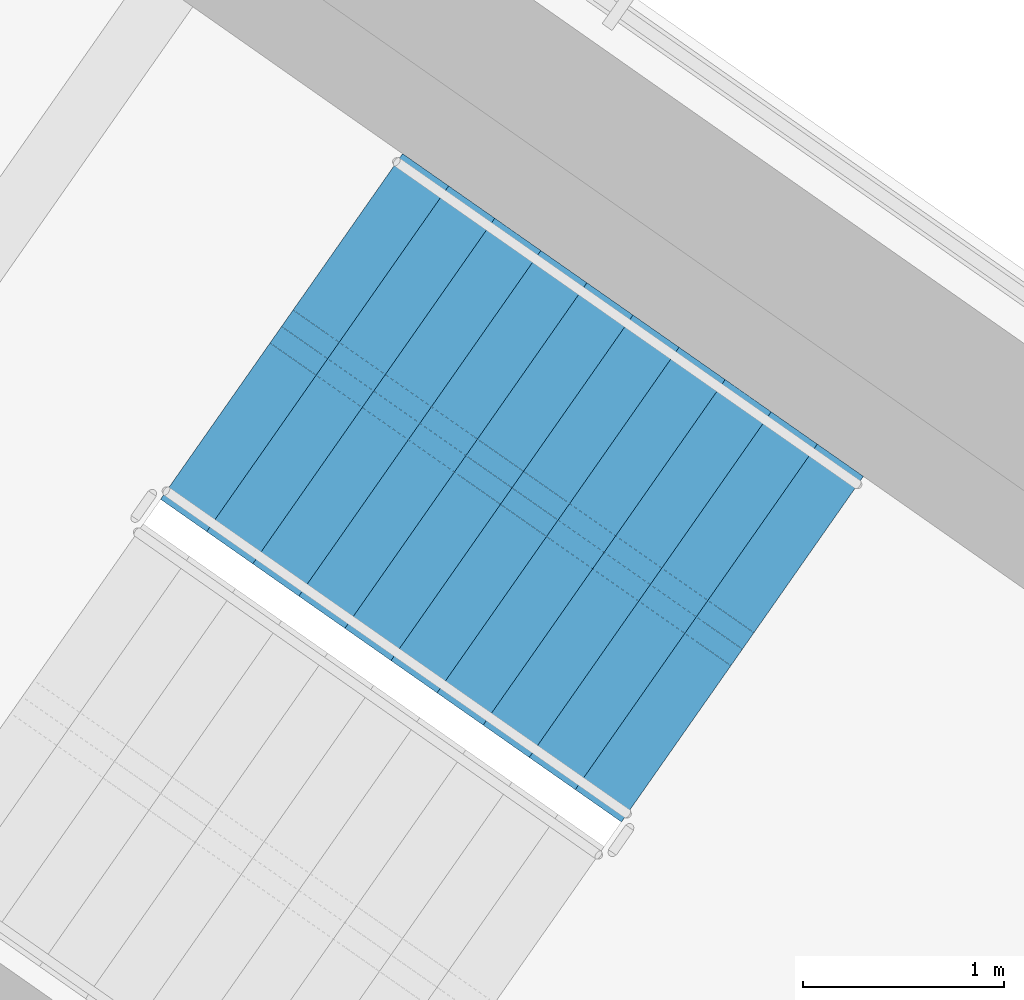
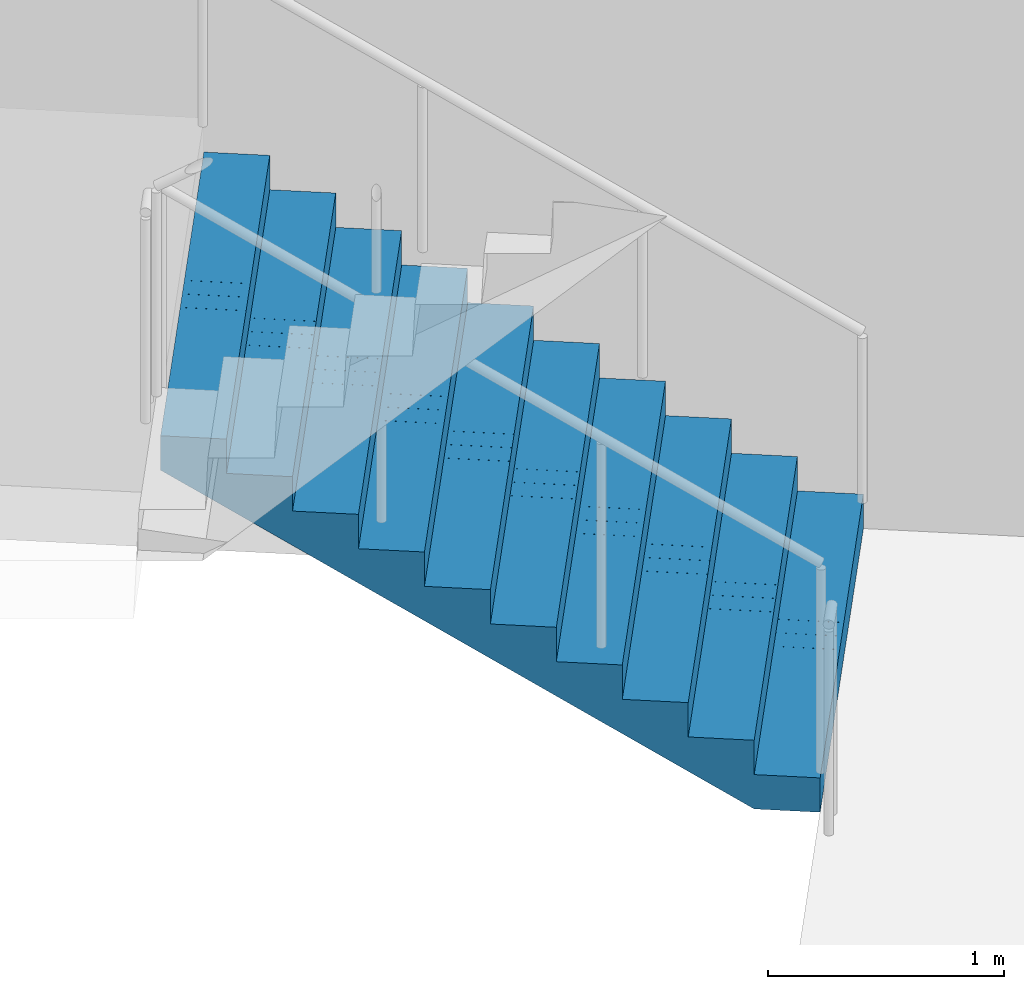
# One storey, part 13 of 18: 1 stair flight, 1 element without a shape of its own.
"""IFC4 building model written with IfcOpenShell, lengths in metres."""

import ifcopenshell
import ifcopenshell.guid

model = None  # the IFC model being written
_history = None  # IfcOwnerHistory: only IFC2X3 demands one
_inside = {}  # id of a spatial element -> (the spatial element, [elements in it])
_under = {}  # id of a project, library or spatial element -> (it, [spatial elements below it])
_declared = {}  # id of a project -> (the project, [libraries it declares])
_typed = {}  # id of a type object -> (the type object, [elements of that type])
_made_of = {}  # id of a material, layer set ... -> (it, [elements and type objects made of it])


def new_model(schema):
    """Start an empty IFC model of exactly this schema.

    Asked for "IFC4X3", IfcOpenShell would pick the latest addendum, in which some entities
    have other attributes; the version numbers below select the first issue.
    IFC2X3 requires an IfcOwnerHistory on every rooted entity: one is made here for all.
    """
    global model, _history
    if schema == "IFC4X3":
        model = ifcopenshell.file(schema_version=(4, 3, 0, 0))
    else:
        model = ifcopenshell.file(schema=schema)
    _inside.clear()
    _under.clear()
    _declared.clear()
    _typed.clear()
    _made_of.clear()
    _history = None
    if model.schema == "IFC2X3":
        org = make("IfcOrganization", Name="unknown")
        user = make(
            "IfcPersonAndOrganization",
            ThePerson=make("IfcPerson", FamilyName="unknown"),
            TheOrganization=org,
        )
        app = make(
            "IfcApplication",
            ApplicationDeveloper=org,
            Version="unknown",
            ApplicationFullName="unknown",
            ApplicationIdentifier="unknown",
        )
        _history = make(
            "IfcOwnerHistory",
            OwningUser=user,
            OwningApplication=app,
            ChangeAction="ADDED",
            CreationDate=0,
        )
    return model


def make(cls, **values):
    """One entity of the class cls with the attributes given. An attribute that is None is left unset."""
    return model.create_entity(
        cls, **{name: value for name, value in values.items() if value is not None}
    )


def rooted(cls, **values):
    """An entity with a GlobalId (a new one), such as an element, a storey or a relation."""
    return make(cls, GlobalId=ifcopenshell.guid.new(), OwnerHistory=_history, **values)


def si_unit(unit_type, name, prefix=None):
    """IfcSIUnit, for example si_unit("LENGTHUNIT", "METRE", prefix="MILLI")."""
    return make("IfcSIUnit", UnitType=unit_type, Prefix=prefix, Name=name)


def assignment(units):
    """IfcUnitAssignment: the units of a project."""
    return None if units is None else make("IfcUnitAssignment", Units=units)


def point(xyz):
    """IfcCartesianPoint."""
    return None if xyz is None else make("IfcCartesianPoint", Coordinates=xyz)


def direction(xyz):
    """IfcDirection."""
    return None if xyz is None else make("IfcDirection", DirectionRatios=xyz)


def frame(location, z_axis=None, x_axis=None):
    """IfcAxis2Placement3D, a coordinate frame: its origin and axes. An axis left out is left unset."""
    return make(
        "IfcAxis2Placement3D",
        Location=point(location),
        Axis=direction(z_axis),
        RefDirection=direction(x_axis),
    )


def origin():
    """The frame at (0, 0, 0) with its axes left unset."""
    return frame((0.0, 0.0, 0.0))


def place(relative_to, where):
    """IfcLocalPlacement: puts the frame where relative to a parent placement (None: the world)."""
    return make(
        "IfcLocalPlacement", PlacementRelTo=relative_to, RelativePlacement=where
    )


def context(
    kind, dimensions, precision=None, world=None, true_north=None, identifier=None
):
    """IfcGeometricRepresentationContext, for example the 3D "Model" context."""
    return make(
        "IfcGeometricRepresentationContext",
        ContextIdentifier=identifier,
        ContextType=kind,
        CoordinateSpaceDimension=dimensions,
        Precision=precision,
        WorldCoordinateSystem=world,
        TrueNorth=true_north,
    )


def subcontext(parent, identifier, kind, view, scale=None):
    """IfcGeometricRepresentationSubContext, for example "Body" below "Model"."""
    return make(
        "IfcGeometricRepresentationSubContext",
        ContextIdentifier=identifier,
        ContextType=kind,
        ParentContext=parent,
        TargetScale=scale,
        TargetView=view,
    )


def project(units=None, contexts=None):
    """IfcProject with its units and contexts."""
    return rooted(
        "IfcProject",
        Name="project",
        RepresentationContexts=contexts,
        UnitsInContext=assignment(units),
    )


def spatial(cls, under=None, at=None, **own):
    """A site, building, storey or space (cls), placed at a placement, below another one or the project."""
    s = rooted(cls, ObjectPlacement=at, **own)
    if under is not None:
        _under.setdefault(under.id(), (under, []))[1].append(s)
    return s


def polyline(points):
    """IfcPolyline through the points."""
    return make("IfcPolyline", Points=[point(p) for p in points])


def outline(outer, holes=None, kind="AREA"):
    """IfcArbitraryClosedProfileDef: a profile drawn as a closed curve; with holes, ...WithVoids."""
    if holes is None:
        return make("IfcArbitraryClosedProfileDef", ProfileType=kind, OuterCurve=outer)
    return make(
        "IfcArbitraryProfileDefWithVoids",
        ProfileType=kind,
        OuterCurve=outer,
        InnerCurves=holes,
    )


def extrude(swept, where, along, depth):
    """IfcExtrudedAreaSolid: the profile swept, set in the frame where, extruded along a direction by depth."""
    return make(
        "IfcExtrudedAreaSolid",
        SweptArea=swept,
        Position=where,
        ExtrudedDirection=direction(along),
        Depth=depth,
    )


def shape(context_of_items, identifier, shape_type, items):
    """IfcShapeRepresentation: the items that make up one representation, for example the "Body"."""
    return make(
        "IfcShapeRepresentation",
        ContextOfItems=context_of_items,
        RepresentationIdentifier=identifier,
        RepresentationType=shape_type,
        Items=items,
    )


def material(Name=None, Category=None):
    """IfcMaterial."""
    return make("IfcMaterial", Name=Name, Category=Category)


def made_of(thing, what):
    """Note that an element or type object is made of a material, layer set ...; save() writes the relation."""
    if what is not None:
        _made_of.setdefault(what.id(), (what, []))[1].append(thing)
    return thing


def type_object(cls, material=None, **own):
    """A type object (cls), such as IfcWallType, which elements share."""
    return made_of(rooted(cls, **own), material)


def element(
    cls,
    number,
    at=None,
    inside=None,
    cuts=None,
    type_object=None,
    material=None,
    context=None,
    identifier="Body",
    shape_type=None,
    held_by="IfcProductDefinitionShape",
    body=None,
    shapes=None,
    **own,
):
    """One element of the class cls, such as IfcWall. Its Tag is "e" and its number.

    at: its placement. inside: the storey or other place that contains it. cuts: it is an
    opening in that element (IfcRelVoidsElement). A single representation is given by context,
    identifier, shape_type and body (its items); several are given by shapes. held_by: the class
    of the entity that holds the representations. save() writes the other relations.
    """
    e = rooted(cls, Tag="e%d" % number, ObjectPlacement=at, **own)
    if body is not None:
        shapes = [shape(context, identifier, shape_type, body)]
    if shapes is not None:
        e.Representation = make(held_by, Representations=shapes)
    if inside is not None:
        _inside.setdefault(inside.id(), (inside, []))[1].append(e)
    if cuts is not None:
        rooted(
            "IfcRelVoidsElement", RelatingBuildingElement=cuts, RelatedOpeningElement=e
        )
    if type_object is not None:
        _typed.setdefault(type_object.id(), (type_object, []))[1].append(e)
    return made_of(e, material)


def aggregate(whole, parts):
    """IfcRelAggregates: a whole, such as a stair, and the parts it consists of."""
    return rooted("IfcRelAggregates", RelatingObject=whole, RelatedObjects=parts)


def save(model, path):
    """Write the relations noted so far, then the file.

    IfcRelAggregates (storeys below a building ...), IfcRelContainedInSpatialStructure (elements
    in a storey), IfcRelDefinesByType, IfcRelAssociatesMaterial and IfcRelDeclares: one each for
    every whole, place, type object, material and project.
    """
    for whole, parts in _under.values():
        aggregate(whole, parts)
    for where, things in _inside.values():
        rooted(
            "IfcRelContainedInSpatialStructure",
            RelatedElements=things,
            RelatingStructure=where,
        )
    for kind, things in _typed.values():
        rooted("IfcRelDefinesByType", RelatedObjects=things, RelatingType=kind)
    for what, things in _made_of.values():
        rooted("IfcRelAssociatesMaterial", RelatedObjects=things, RelatingMaterial=what)
    for by, libraries in _declared.values():
        rooted("IfcRelDeclares", RelatingContext=by, RelatedDefinitions=libraries)
    model.write(path)


model = new_model("IFC4")

# Units and contexts
model_context = context("Model", 3, precision=1e-05, world=origin(), true_north=direction((0.0, 1.0)))
body_context = subcontext(model_context, "Body", "Model", "MODEL_VIEW")
ifc_project = project(units=[si_unit("LENGTHUNIT", "METRE"), si_unit("AREAUNIT", "SQUARE_METRE"), si_unit("VOLUMEUNIT", "CUBIC_METRE"), si_unit("PLANEANGLEUNIT", "RADIAN"), si_unit("MASSUNIT", "GRAM", prefix="KILO")], contexts=[model_context])

# Site, building, storey
site_placement = place(None, origin())
site = spatial("IfcSite", under=ifc_project, at=site_placement, CompositionType="ELEMENT")
building_placement = place(site_placement, origin())
building = spatial("IfcBuilding", under=site, at=building_placement, Name="Tel Ilan Convention Tower", CompositionType="ELEMENT")
storey_placement = place(building_placement, frame((0.0, 0.0, 268.300048828125)))
storey = spatial("IfcBuildingStorey", under=building, at=storey_placement, Name="L63", CompositionType="ELEMENT", Elevation=268.300048828125)

# Stair, stair flight
ifc_material_1 = material(Name="Concrete C40/50", Category="concrete")
stair_type = type_object("IfcStairType", Name="Pressurised Exit Stair 22 risers 177 mm", PredefinedType="HALF_TURN_STAIR", material=ifc_material_1)
stair_placement = place(storey_placement, origin())
stair = element("IfcStair", 1, at=stair_placement, inside=storey, type_object=stair_type, Name="L63 Pressurised Stair S3", PredefinedType="HALF_TURN_STAIR")
ifc_material_2 = material(Name="Precast Concrete C40/50", Category="concrete")
stair_flight_type = type_object("IfcStairFlightType", Name="Concrete Stair Flight 2100 mm 22 risers 177 mm", PredefinedType="STRAIGHT", material=ifc_material_2)
stair_flight_placement = place(storey_placement, frame((24.25244140625, -7.032470703125, 0.0), z_axis=(0.0, 0.0, 1.0), x_axis=(-0.819152044289, 0.573576436351, 0.0)))
stair_flight = element("IfcStairFlight", 2, at=stair_flight_placement, type_object=stair_flight_type, Name="S3 flight 1", NumberOfRisers=11, NumberOfTreads=10, PredefinedType="STRAIGHT", RiserHeight=0.177272727, TreadLength=0.28, context=body_context, shape_type="SweptSolid", body=[
    extrude(outline(polyline([(0.0, 0.0), (0.0, 0.17724609375), (0.280029296875, 0.17724609375), (0.280029296875, 0.3544921875), (0.56005859375, 0.3544921875), (0.56005859375, 0.53173828125), (0.840087890625, 0.53173828125), (0.840087890625, 0.708984375), (1.1201171875, 0.708984375), (1.1201171875, 0.886474609375), (1.39990234375, 0.886474609375), (1.39990234375, 1.063720703125), (1.679931640625, 1.063720703125), (1.679931640625, 1.240966796875), (1.9599609375, 1.240966796875), (1.9599609375, 1.418212890625), (2.239990234375, 1.418212890625), (2.239990234375, 1.595458984375), (2.52001953125, 1.595458984375), (2.52001953125, 1.772705078125), (2.800048828125, 1.772705078125), (2.800048828125, 1.949951171875), (2.800048828125, 1.59521484375), (0.2802734375, 0.0), (0.0, 0.0)])), frame((0.0, -0.100341796875, 0.0), z_axis=(0.0, -1.0, 0.0), x_axis=(1.0, 0.0, 0.0)), (0.0, 0.0, 1.0), 0.94970703125),
    extrude(outline(polyline([(0.0, 0.0), (0.0, 0.17724609375), (0.280029296875, 0.17724609375), (0.280029296875, 0.3544921875), (0.56005859375, 0.3544921875), (0.56005859375, 0.53173828125), (0.840087890625, 0.53173828125), (0.840087890625, 0.708984375), (1.1201171875, 0.708984375), (1.1201171875, 0.886474609375), (1.39990234375, 0.886474609375), (1.39990234375, 1.063720703125), (1.679931640625, 1.063720703125), (1.679931640625, 1.240966796875), (1.9599609375, 1.240966796875), (1.9599609375, 1.418212890625), (2.239990234375, 1.418212890625), (2.239990234375, 1.595458984375), (2.52001953125, 1.595458984375), (2.52001953125, 1.772705078125), (2.800048828125, 1.772705078125), (2.800048828125, 1.949951171875), (2.800048828125, 1.59521484375), (0.2802734375, 0.0), (0.0, 0.0)])), frame((0.0, -0.000244140625, 0.0), z_axis=(0.0, -1.0, 0.0), x_axis=(1.0, 0.0, 0.0)), (0.0, 0.0, 1.0), 0.099609375),
    extrude(outline(polyline([(0.0, 0.0), (0.0, 0.17724609375), (0.280029296875, 0.17724609375), (0.280029296875, 0.3544921875), (0.56005859375, 0.3544921875), (0.56005859375, 0.53173828125), (0.840087890625, 0.53173828125), (0.840087890625, 0.708984375), (1.1201171875, 0.708984375), (1.1201171875, 0.886474609375), (1.39990234375, 0.886474609375), (1.39990234375, 1.063720703125), (1.679931640625, 1.063720703125), (1.679931640625, 1.240966796875), (1.9599609375, 1.240966796875), (1.9599609375, 1.418212890625), (2.239990234375, 1.418212890625), (2.239990234375, 1.595458984375), (2.52001953125, 1.595458984375), (2.52001953125, 1.772705078125), (2.800048828125, 1.772705078125), (2.800048828125, 1.949951171875), (2.800048828125, 1.59521484375), (0.2802734375, 0.0), (0.0, 0.0)])), frame((0.0, 0.099853515625, 0.0), z_axis=(0.0, -1.0, 0.0), x_axis=(1.0, 0.0, 0.0)), (0.0, 0.0, 1.0), 0.099609375),
    extrude(outline(polyline([(0.0, 0.0), (0.0, 0.17724609375), (0.280029296875, 0.17724609375), (0.280029296875, 0.3544921875), (0.56005859375, 0.3544921875), (0.56005859375, 0.53173828125), (0.840087890625, 0.53173828125), (0.840087890625, 0.708984375), (1.1201171875, 0.708984375), (1.1201171875, 0.886474609375), (1.39990234375, 0.886474609375), (1.39990234375, 1.063720703125), (1.679931640625, 1.063720703125), (1.679931640625, 1.240966796875), (1.9599609375, 1.240966796875), (1.9599609375, 1.418212890625), (2.239990234375, 1.418212890625), (2.239990234375, 1.595458984375), (2.52001953125, 1.595458984375), (2.52001953125, 1.772705078125), (2.800048828125, 1.772705078125), (2.800048828125, 1.949951171875), (2.800048828125, 1.59521484375), (0.2802734375, 0.0), (0.0, 0.0)])), frame((0.0, 1.050048828125, 0.0), z_axis=(0.0, -1.0, 0.0), x_axis=(1.0, 0.0, 0.0)), (0.0, 0.0, 1.0), 0.94970703125),
])
aggregate(stair, [stair_flight])

save(model, "model.ifc")
